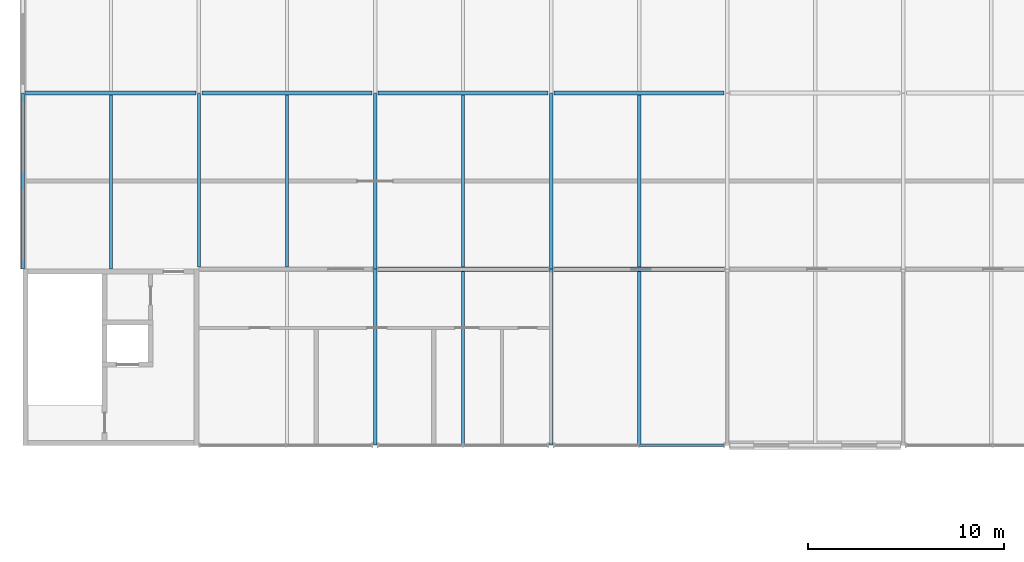
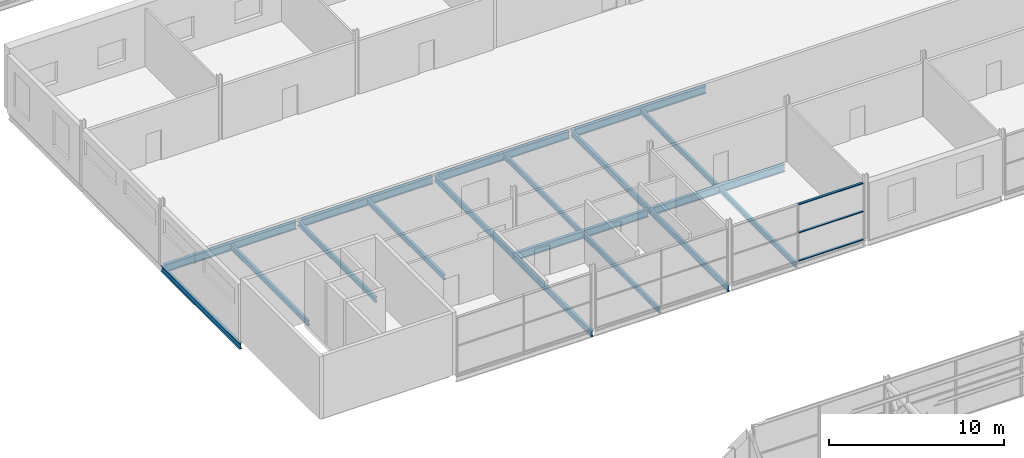
# One storey, part 41 of 138: 18 beams, 3 members, 1 element without a shape of its own.
"""IFC4 building model written with IfcOpenShell, lengths in metres."""

from ifc_helpers import new_model, si_unit, direction, frame, origin, origin_2d, place, context, subcontext, project, spatial, rectangle, i_section, extrude, material, layer, layer_set, material_profile, profile_set, type_object, element, aggregate, save


model = new_model("IFC4")

# Units and contexts
model_context = context("Model", 3, precision=1e-05, world=origin(), true_north=direction((0.0, 1.0)))
body_context = subcontext(model_context, "Body", "Model", "MODEL_VIEW")
ifc_project = project(units=[si_unit("LENGTHUNIT", "METRE"), si_unit("AREAUNIT", "SQUARE_METRE"), si_unit("VOLUMEUNIT", "CUBIC_METRE"), si_unit("PLANEANGLEUNIT", "RADIAN"), si_unit("MASSUNIT", "GRAM", prefix="KILO")], contexts=[model_context])

# Site, building, storey
site_placement = place(None, origin())
site = spatial("IfcSite", under=ifc_project, at=site_placement, CompositionType="ELEMENT")
building_placement = place(site_placement, origin())
building = spatial("IfcBuilding", under=site, at=building_placement, Name="Corbel Yard City Hall", CompositionType="ELEMENT")
storey_placement = place(building_placement, frame((0.0, 0.0, 10.5)))
storey = spatial("IfcBuildingStorey", under=building, at=storey_placement, Name="L02", CompositionType="ELEMENT", Elevation=10.5)

# Beams
ifc_material_1 = material(Name="Steel Grade 300 (300 MPa yield)", Category="steel")
ifc_material_profile_1 = material_profile(ifc_material_1, i_section(OverallWidth=0.1708984375, OverallDepth=0.35595703125, WebThickness=0.00732421875, FlangeThickness=0.011474609375, at=origin_2d()), Name="360UB50.7")
ifc_profile_set_1 = profile_set([ifc_material_profile_1], Name="Steel Grade 300 (300 MPa yield)")
beam_type_1 = type_object("IfcBeamType", Name="Beam 360UB50.7", PredefinedType="BEAM", material=ifc_profile_set_1)
beam_1_placement = place(storey_placement, frame((9.0, 54.1044921875, -0.327880859375), z_axis=(0.0, 1.0, 0.0), x_axis=(-1.0, 0.0, 0.0)))
element("IfcBeam", 1, at=beam_1_placement, inside=storey, type_object=beam_type_1, Name="Beam 360UB50.7 SB14 L02floor", PredefinedType="BEAM", context=body_context, shape_type="SweptSolid", body=[
    extrude(i_section(OverallWidth=0.1708984375, OverallDepth=0.35595703125, WebThickness=0.00732421875, FlangeThickness=0.011474609375, at=origin_2d()), origin(), (0.0, 0.0, 1.0), 8.8896484375),
])
ifc_material_profile_2 = material_profile(ifc_material_1, i_section(OverallWidth=0.177978515625, OverallDepth=0.403076171875, WebThickness=0.007568359375, FlangeThickness=0.010986328125, at=origin_2d()), Name="410UB53.7")
ifc_profile_set_2 = profile_set([ifc_material_profile_2], Name="Steel Grade 300 (300 MPa yield)")
beam_type_2 = type_object("IfcBeamType", Name="Beam 410UB53.7", PredefinedType="BEAM", material=ifc_profile_set_2)
beam_2_placement = place(storey_placement, frame((18.0, 45.00537109375, -0.3515625), z_axis=(0.0, 1.0, 0.0), x_axis=(-1.0, 0.0, 0.0)))
element("IfcBeam", 2, at=beam_2_placement, inside=storey, type_object=beam_type_2, Name="Beam 410UB53.7 SB6 L02floor", PredefinedType="BEAM", context=body_context, shape_type="SweptSolid", body=[
    extrude(i_section(OverallWidth=0.177978515625, OverallDepth=0.403076171875, WebThickness=0.007568359375, FlangeThickness=0.010986328125, at=origin_2d()), origin(), (0.0, 0.0, 1.0), 8.98876953125),
])
beam_3_placement = place(storey_placement, frame((18.0, 54.005859375, -0.3515625), z_axis=(0.0, 1.0, 0.0), x_axis=(-1.0, 0.0, 0.0)))
element("IfcBeam", 3, at=beam_3_placement, inside=storey, type_object=beam_type_2, Name="Beam 410UB53.7 SB6 L02floor", PredefinedType="BEAM", context=body_context, shape_type="SweptSolid", body=[
    extrude(i_section(OverallWidth=0.177978515625, OverallDepth=0.403076171875, WebThickness=0.007568359375, FlangeThickness=0.010986328125, at=origin_2d()), origin(), (0.0, 0.0, 1.0), 8.98828125),
])
beam_4_placement = place(storey_placement, frame((27.0, 45.00537109375, -0.3515625), z_axis=(0.0, 1.0, 0.0), x_axis=(-1.0, 0.0, 0.0)))
element("IfcBeam", 4, at=beam_4_placement, inside=storey, type_object=beam_type_2, Name="Beam 410UB53.7 SB6 L02floor", PredefinedType="BEAM", context=body_context, shape_type="SweptSolid", body=[
    extrude(i_section(OverallWidth=0.177978515625, OverallDepth=0.403076171875, WebThickness=0.007568359375, FlangeThickness=0.010986328125, at=origin_2d()), origin(), (0.0, 0.0, 1.0), 8.98876953125),
])
beam_5_placement = place(storey_placement, frame((27.0, 54.005859375, -0.3515625), z_axis=(0.0, 1.0, 0.0), x_axis=(-1.0, 0.0, 0.0)))
element("IfcBeam", 5, at=beam_5_placement, inside=storey, type_object=beam_type_2, Name="Beam 410UB53.7 SB6 L02floor", PredefinedType="BEAM", context=body_context, shape_type="SweptSolid", body=[
    extrude(i_section(OverallWidth=0.177978515625, OverallDepth=0.403076171875, WebThickness=0.007568359375, FlangeThickness=0.010986328125, at=origin_2d()), origin(), (0.0, 0.0, 1.0), 8.98828125),
])
ifc_material_profile_3 = material_profile(ifc_material_1, i_section(OverallWidth=0.177978515625, OverallDepth=0.403076171875, WebThickness=0.007568359375, FlangeThickness=0.010986328125, at=origin_2d()), Name="410UB53.7")
ifc_profile_set_3 = profile_set([ifc_material_profile_3], Name="Steel Grade 300 (300 MPa yield)")
beam_type_3 = type_object("IfcBeamType", Name="Edge beam 410UB53.7", PredefinedType="BEAM", material=ifc_profile_set_3)
beam_6_placement = place(storey_placement, frame((0.0, 54.0, -0.3515625), z_axis=(0.0, 1.0, 0.0), x_axis=(-1.0, 0.0, 0.0)))
element("IfcBeam", 6, at=beam_6_placement, inside=storey, type_object=beam_type_3, Name="Edge beam 410UB53.7 EB6 L02floor", PredefinedType="BEAM", context=body_context, shape_type="SweptSolid", body=[
    extrude(i_section(OverallWidth=0.177978515625, OverallDepth=0.403076171875, WebThickness=0.007568359375, FlangeThickness=0.010986328125, at=origin_2d()), origin(), (0.0, 0.0, 1.0), 8.99462890625),
])
ifc_material_profile_4 = material_profile(ifc_material_1, i_section(OverallWidth=0.208984375, OverallDepth=0.528076171875, WebThickness=0.009521484375, FlangeThickness=0.01318359375, at=origin_2d()), Name="530UB82.0")
ifc_profile_set_4 = profile_set([ifc_material_profile_4], Name="Steel Grade 300 (300 MPa yield)")
beam_type_4 = type_object("IfcBeamType", Name="Girder 530UB82.0", PredefinedType="BEAM", material=ifc_profile_set_4)
for number, where, z_axis, x_axis, name in (
    (7, (18.157470703125, 54.0, -0.4140625), (1.0, 0.0, 0.0), (0.0, 1.0, 0.0), "Girder 530UB82.0 GB3 L02floor"),
    (8, (27.157470703125, 54.0, -0.4140625), (1.0, 0.0, 0.0), (0.0, 1.0, 0.0), "Girder 530UB82.0 GB3 L02floor"),
):
    element("IfcBeam", number, at=place(storey_placement, frame(where, z_axis=z_axis, x_axis=x_axis)), inside=storey, type_object=beam_type_4, Name=name, PredefinedType="BEAM", context=body_context, shape_type="SweptSolid", body=[
        extrude(i_section(OverallWidth=0.208984375, OverallDepth=0.528076171875, WebThickness=0.009521484375, FlangeThickness=0.01318359375, at=origin_2d()), origin(), (0.0, 0.0, 1.0), 8.68505859375),
    ])
beam_7_placement = place(storey_placement, frame((0.1298828125, 63.0, -0.4140625), z_axis=(1.0, 0.0, 0.0), x_axis=(0.0, 1.0, 0.0)))
element("IfcBeam", 9, at=beam_7_placement, inside=storey, type_object=beam_type_4, Name="Girder 530UB82.0 GB3 L02floor", PredefinedType="BEAM", context=body_context, shape_type="SweptSolid", body=[
    extrude(i_section(OverallWidth=0.208984375, OverallDepth=0.528076171875, WebThickness=0.009521484375, FlangeThickness=0.01318359375, at=origin_2d()), origin(), (0.0, 0.0, 1.0), 8.712646484375),
])
for number, where, z_axis, x_axis, name in (
    (10, (9.157470703125, 63.0, -0.4140625), (1.0, 0.0, 0.0), (0.0, 1.0, 0.0), "Girder 530UB82.0 GB3 L02floor"),
    (11, (18.157470703125, 63.0, -0.4140625), (1.0, 0.0, 0.0), (0.0, 1.0, 0.0), "Girder 530UB82.0 GB3 L02floor"),
    (12, (27.157470703125, 63.0, -0.4140625), (1.0, 0.0, 0.0), (0.0, 1.0, 0.0), "Girder 530UB82.0 GB3 L02floor"),
):
    element("IfcBeam", number, at=place(storey_placement, frame(where, z_axis=z_axis, x_axis=x_axis)), inside=storey, type_object=beam_type_4, Name=name, PredefinedType="BEAM", context=body_context, shape_type="SweptSolid", body=[
        extrude(i_section(OverallWidth=0.208984375, OverallDepth=0.528076171875, WebThickness=0.009521484375, FlangeThickness=0.01318359375, at=origin_2d()), origin(), (0.0, 0.0, 1.0), 8.68505859375),
    ])
ifc_material_profile_5 = material_profile(ifc_material_1, i_section(OverallWidth=0.1708984375, OverallDepth=0.35205078125, WebThickness=0.0068359375, FlangeThickness=0.009765625, at=origin_2d()), Name="360UB44.7")
ifc_profile_set_5 = profile_set([ifc_material_profile_5], Name="Steel Grade 300 (300 MPa yield)")
beam_type_5 = type_object("IfcBeamType", Name="Secondary beam 360UB44.7", PredefinedType="JOIST", material=ifc_profile_set_5)
for number, where, z_axis, x_axis, name in (
    (13, (13.5, 54.1044921875, -0.325927734375), (0.0, 1.0, 0.0), (-1.0, 0.0, 0.0), "Secondary beam 360UB44.7 SB11 L02floor"),
    (14, (22.5, 54.1044921875, -0.325927734375), (0.0, 1.0, 0.0), (-1.0, 0.0, 0.0), "Secondary beam 360UB44.7 SB11 L02floor"),
    (15, (31.5, 54.1044921875, -0.325927734375), (0.0, 1.0, 0.0), (-1.0, 0.0, 0.0), "Secondary beam 360UB44.7 SB11 L02floor"),
):
    element("IfcBeam", number, at=place(storey_placement, frame(where, z_axis=z_axis, x_axis=x_axis)), inside=storey, type_object=beam_type_5, Name=name, PredefinedType="JOIST", context=body_context, shape_type="SweptSolid", body=[
        extrude(i_section(OverallWidth=0.1708984375, OverallDepth=0.35205078125, WebThickness=0.0068359375, FlangeThickness=0.009765625, at=origin_2d()), origin(), (0.0, 0.0, 1.0), 8.791015625),
    ])
ifc_material_profile_6 = material_profile(ifc_material_1, i_section(OverallWidth=0.1708984375, OverallDepth=0.35595703125, WebThickness=0.00732421875, FlangeThickness=0.011474609375, at=origin_2d()), Name="360UB50.7")
ifc_profile_set_6 = profile_set([ifc_material_profile_6], Name="Steel Grade 300 (300 MPa yield)")
beam_type_6 = type_object("IfcBeamType", Name="Secondary beam 360UB50.7", PredefinedType="JOIST", material=ifc_profile_set_6)
beam_8_placement = place(storey_placement, frame((4.5, 54.0, -0.327880859375), z_axis=(0.0, 1.0, 0.0), x_axis=(-1.0, 0.0, 0.0)))
element("IfcBeam", 16, at=beam_8_placement, inside=storey, type_object=beam_type_6, Name="Secondary beam 360UB50.7 SB10 L02floor", PredefinedType="JOIST", context=body_context, shape_type="SweptSolid", body=[
    extrude(i_section(OverallWidth=0.1708984375, OverallDepth=0.35595703125, WebThickness=0.00732421875, FlangeThickness=0.011474609375, at=origin_2d()), origin(), (0.0, 0.0, 1.0), 8.8955078125),
])
for number, where, z_axis, x_axis, name in (
    (17, (22.5, 45.0859375, -0.327880859375), (0.0, 1.0, 0.0), (-1.0, 0.0, 0.0), "Secondary beam 360UB50.7 SB10 L02floor"),
    (18, (31.5, 45.0859375, -0.327880859375), (0.0, 1.0, 0.0), (-1.0, 0.0, 0.0), "Secondary beam 360UB50.7 SB10 L02floor"),
):
    element("IfcBeam", number, at=place(storey_placement, frame(where, z_axis=z_axis, x_axis=x_axis)), inside=storey, type_object=beam_type_6, Name=name, PredefinedType="JOIST", context=body_context, shape_type="SweptSolid", body=[
        extrude(i_section(OverallWidth=0.1708984375, OverallDepth=0.35595703125, WebThickness=0.00732421875, FlangeThickness=0.011474609375, at=origin_2d()), origin(), (0.0, 0.0, 1.0), 8.8095703125),
    ])

# Curtain wall, members
ifc_material_2 = material(Name="Aluminium extrusion", Category="aluminium")
ifc_layer = layer(ifc_material_2, 0.199951171875)
ifc_layer_set = layer_set([ifc_layer], Name="Aluminium extrusion")
curtain_wall_type = type_object("IfcCurtainWallType", Name="CW1", PredefinedType="USERDEFINED", material=ifc_layer_set)
curtain_wall_placement = place(storey_placement, origin())
curtain_wall = element("IfcCurtainWall", 19, at=curtain_wall_placement, inside=storey, type_object=curtain_wall_type, Name="Curtain wall CW1 L02", ObjectType="CURTAIN WALL", PredefinedType="USERDEFINED")
ifc_material_profile_7 = material_profile(ifc_material_2, rectangle(XDim=0.14990234375, YDim=0.06494140625, at=origin_2d()), Name="150x65")
ifc_profile_set_7 = profile_set([ifc_material_profile_7], Name="Aluminium extrusion")
member_type = type_object("IfcMemberType", Name="TR1", PredefinedType="USERDEFINED", material=ifc_profile_set_7)
member_1_placement = place(storey_placement, frame((31.532470703125, 45.0, 0.032470703125), z_axis=(1.0, 0.0, 0.0), x_axis=(0.0, 1.0, 0.0)))
member_1 = element("IfcMember", 20, at=member_1_placement, type_object=member_type, Name="CW1 transom 2.1", ObjectType="TRANSOM", PredefinedType="USERDEFINED", context=body_context, shape_type="SweptSolid", body=[
    extrude(rectangle(XDim=0.14990234375, YDim=0.06494140625, at=origin_2d()), origin(), (0.0, 0.0, 1.0), 4.275634765625),
])
member_2_placement = place(storey_placement, frame((31.532470703125, 45.0, 1.99560546875), z_axis=(1.0, 0.0, 0.0), x_axis=(0.0, 1.0, 0.0)))
member_2 = element("IfcMember", 21, at=member_2_placement, type_object=member_type, Name="CW1 transom 2.2", ObjectType="TRANSOM", PredefinedType="USERDEFINED", context=body_context, shape_type="SweptSolid", body=[
    extrude(rectangle(XDim=0.14990234375, YDim=0.06494140625, at=origin_2d()), origin(), (0.0, 0.0, 1.0), 4.275634765625),
])
member_3_placement = place(storey_placement, frame((31.532470703125, 45.0, 3.95849609375), z_axis=(1.0, 0.0, 0.0), x_axis=(0.0, 1.0, 0.0)))
member_3 = element("IfcMember", 22, at=member_3_placement, type_object=member_type, Name="CW1 transom 2.3", ObjectType="TRANSOM", PredefinedType="USERDEFINED", context=body_context, shape_type="SweptSolid", body=[
    extrude(rectangle(XDim=0.14990234375, YDim=0.06494140625, at=origin_2d()), origin(), (0.0, 0.0, 1.0), 4.275634765625),
])
aggregate(curtain_wall, [member_1, member_2, member_3])

save(model, "model.ifc")
